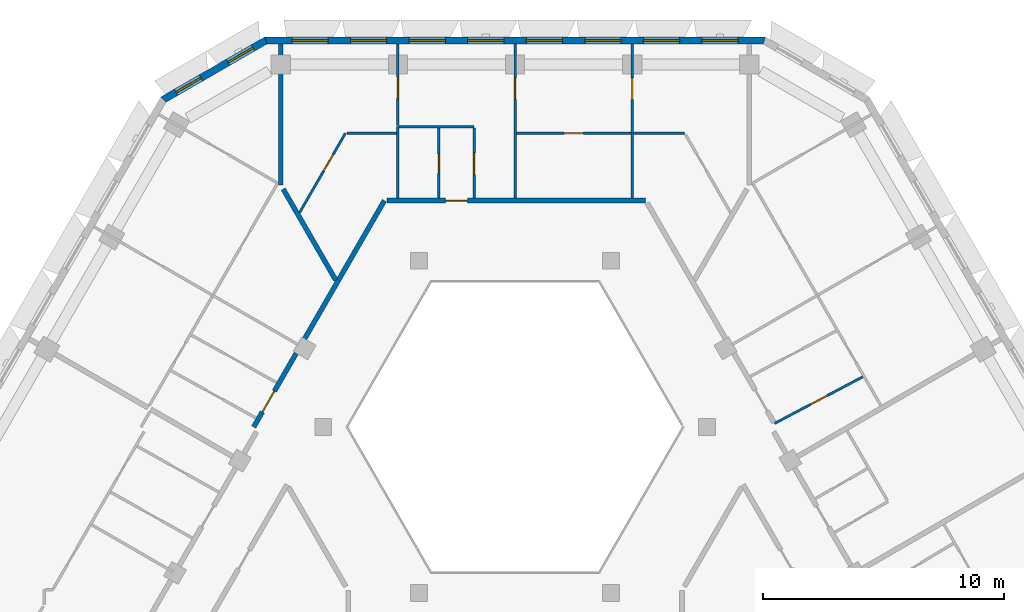
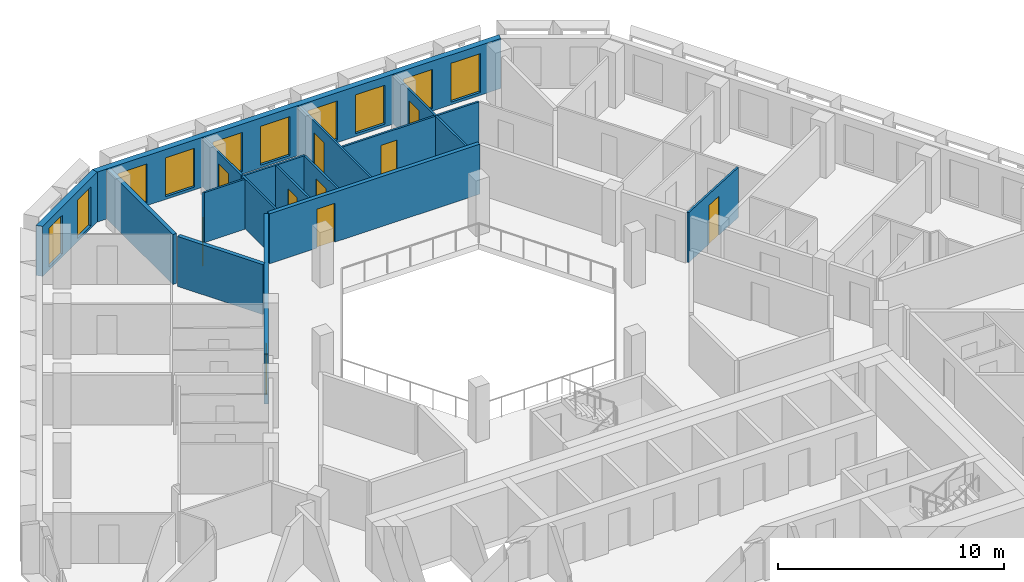
# One storey, part 8 of 18: 18 walls, 10 doors, 10 windows, 20 openings.
"""IFC4 building model written with IfcOpenShell, lengths in metres."""

from ifc_helpers import new_model, si_unit, direction, frame, frame_2d, origin, place, context, subcontext, project, spatial, polyline, rectangle, outline, extrude, material, layer, layer_set, type_object, element, fill, save


model = new_model("IFC4")

# Units and contexts
model_context = context("Model", 3, precision=1e-05, world=origin(), true_north=direction((0.0, 1.0)))
body_context = subcontext(model_context, "Body", "Model", "MODEL_VIEW")
ifc_project = project(units=[si_unit("LENGTHUNIT", "METRE"), si_unit("AREAUNIT", "SQUARE_METRE"), si_unit("VOLUMEUNIT", "CUBIC_METRE"), si_unit("PLANEANGLEUNIT", "RADIAN"), si_unit("MASSUNIT", "GRAM", prefix="KILO")], contexts=[model_context])

# Site, building, storey
site_placement = place(None, origin())
site = spatial("IfcSite", under=ifc_project, at=site_placement, CompositionType="ELEMENT")
building_placement = place(site_placement, origin())
building = spatial("IfcBuilding", under=site, at=building_placement, Name="Beryl Residences", CompositionType="ELEMENT")
storey_placement = place(building_placement, frame((0.0, 0.0, 190.199951171875)))
storey = spatial("IfcBuildingStorey", under=building, at=storey_placement, Name="L58", CompositionType="ELEMENT", Elevation=190.199951171875)

# Wall, openings, windows
ifc_material_1 = material(Name="Composite metal panel with mineral wool insulation")
ifc_layer_1 = layer(ifc_material_1, 0.300048828125)
ifc_layer_set_1 = layer_set([ifc_layer_1], Name="ES1 pale metal composite panel wall 300 mm")
wall_type_1 = type_object("IfcWallType", Name="ES1 pale metal composite panel wall 300 mm", PredefinedType="SOLIDWALL", material=ifc_layer_set_1)
wall_1_placement = place(storey_placement, frame((10.39208984375, 24.050048828125, 0.0), z_axis=(0.0, 0.0, 1.0), x_axis=(-1.0, 0.0, 0.0)))
wall_1 = element("IfcWall", 1, at=wall_1_placement, inside=storey, type_object=wall_type_1, Name="ES1 external wall L58 N", PredefinedType="SOLIDWALL", context=body_context, shape_type="SweptSolid", body=[
    extrude(outline(polyline([(0.0, -0.14990234375), (20.7841796875, -0.14990234375), (20.703857421875, 0.14990234375), (0.080322265625, 0.14990234375), (0.0, -0.14990234375)])), origin(), (0.0, 0.0, 1.0), 2.699951171875),
])
opening_1_placement = place(wall_1_placement, frame((1.1298828125, 0.0, 0.14990234375)))
opening_1 = element("IfcOpeningElement", 2, at=opening_1_placement, cuts=wall_1, Name="Opening W1", PredefinedType="OPENING", context=body_context, shape_type="SweptSolid", body=[
    extrude(rectangle(XDim=1.5, YDim=2.10009765625, at=frame_2d((0.75, 1.050048828125))), frame((0.0, 0.159912109375, 0.0), z_axis=(0.0, -1.0, 0.0), x_axis=(1.0, 0.0, 0.0)), (0.0, 0.0, 1.0), 0.320068359375),
])
opening_2_placement = place(wall_1_placement, frame((3.56201171875, 0.0, 0.14990234375)))
opening_2 = element("IfcOpeningElement", 3, at=opening_2_placement, cuts=wall_1, Name="Opening W1", PredefinedType="OPENING", context=body_context, shape_type="SweptSolid", body=[
    extrude(rectangle(XDim=1.5, YDim=2.10009765625, at=frame_2d((0.75, 1.050048828125))), frame((0.0, 0.159912109375, 0.0), z_axis=(0.0, -1.0, 0.0), x_axis=(1.0, 0.0, 0.0)), (0.0, 0.0, 1.0), 0.320068359375),
])
opening_3_placement = place(wall_1_placement, frame((5.993896484375, 0.0, 0.14990234375)))
opening_3 = element("IfcOpeningElement", 4, at=opening_3_placement, cuts=wall_1, Name="Opening W1", PredefinedType="OPENING", context=body_context, shape_type="SweptSolid", body=[
    extrude(rectangle(XDim=1.5, YDim=2.10009765625, at=frame_2d((0.75, 1.050048828125))), frame((0.0, 0.159912109375, 0.0), z_axis=(0.0, -1.0, 0.0), x_axis=(1.0, 0.0, 0.0)), (0.0, 0.0, 1.0), 0.320068359375),
])
opening_4_placement = place(wall_1_placement, frame((8.426025390625, 0.0, 0.14990234375)))
opening_4 = element("IfcOpeningElement", 5, at=opening_4_placement, cuts=wall_1, Name="Opening W1", PredefinedType="OPENING", context=body_context, shape_type="SweptSolid", body=[
    extrude(rectangle(XDim=1.5, YDim=2.10009765625, at=frame_2d((0.75, 1.050048828125))), frame((0.0, 0.159912109375, 0.0), z_axis=(0.0, -1.0, 0.0), x_axis=(1.0, 0.0, 0.0)), (0.0, 0.0, 1.0), 0.320068359375),
])
opening_5_placement = place(wall_1_placement, frame((10.85791015625, 0.0, 0.14990234375)))
opening_5 = element("IfcOpeningElement", 6, at=opening_5_placement, cuts=wall_1, Name="Opening W1", PredefinedType="OPENING", context=body_context, shape_type="SweptSolid", body=[
    extrude(rectangle(XDim=1.5, YDim=2.10009765625, at=frame_2d((0.75, 1.050048828125))), frame((0.0, 0.159912109375, 0.0), z_axis=(0.0, -1.0, 0.0), x_axis=(1.0, 0.0, 0.0)), (0.0, 0.0, 1.0), 0.320068359375),
])
opening_6_placement = place(wall_1_placement, frame((13.2900390625, 0.0, 0.14990234375)))
opening_6 = element("IfcOpeningElement", 7, at=opening_6_placement, cuts=wall_1, Name="Opening W1", PredefinedType="OPENING", context=body_context, shape_type="SweptSolid", body=[
    extrude(rectangle(XDim=1.5, YDim=2.10009765625, at=frame_2d((0.75, 1.050048828125))), frame((0.0, 0.159912109375, 0.0), z_axis=(0.0, -1.0, 0.0), x_axis=(1.0, 0.0, 0.0)), (0.0, 0.0, 1.0), 0.320068359375),
])
opening_7_placement = place(wall_1_placement, frame((15.721923828125, 0.0, 0.14990234375)))
opening_7 = element("IfcOpeningElement", 8, at=opening_7_placement, cuts=wall_1, Name="Opening W1", PredefinedType="OPENING", context=body_context, shape_type="SweptSolid", body=[
    extrude(rectangle(XDim=1.5, YDim=2.10009765625, at=frame_2d((0.75, 1.050048828125))), frame((0.0, 0.159912109375, 0.0), z_axis=(0.0, -1.0, 0.0), x_axis=(1.0, 0.0, 0.0)), (0.0, 0.0, 1.0), 0.320068359375),
])
opening_8_placement = place(wall_1_placement, frame((18.154052734375, 0.0, 0.14990234375)))
opening_8 = element("IfcOpeningElement", 9, at=opening_8_placement, cuts=wall_1, Name="Opening W1", PredefinedType="OPENING", context=body_context, shape_type="SweptSolid", body=[
    extrude(rectangle(XDim=1.5, YDim=2.10009765625, at=frame_2d((0.75, 1.050048828125))), frame((0.0, 0.159912109375, 0.0), z_axis=(0.0, -1.0, 0.0), x_axis=(1.0, 0.0, 0.0)), (0.0, 0.0, 1.0), 0.320068359375),
])
ifc_material_2 = material(Name="Aluminium and clear glass", Category="aluminium")
window_type_1 = type_object("IfcWindowType", Name="W1 cell window 1500 x 2100 mm", PartitioningType="SINGLE_PANEL", PredefinedType="WINDOW", material=ifc_material_2)
window_1_placement = place(opening_1_placement, origin())
window_1 = element("IfcWindow", 10, at=window_1_placement, inside=storey, type_object=window_type_1, Name="W1 window L58 N 1", OverallHeight=2.10009765625, OverallWidth=1.5, PartitioningType="SINGLE_PANEL", PredefinedType="WINDOW", context=body_context, shape_type="SweptSolid", body=[
    extrude(rectangle(XDim=1.5, YDim=2.10009765625, at=frame_2d((0.75, 1.050048828125))), frame((0.0, 0.030029296875, 0.0), z_axis=(0.0, -1.0, 0.0), x_axis=(1.0, 0.0, 0.0)), (0.0, 0.0, 1.0), 0.06005859375),
])
fill(opening_1, window_1)
window_2_placement = place(opening_2_placement, origin())
window_2 = element("IfcWindow", 11, at=window_2_placement, inside=storey, type_object=window_type_1, Name="W1 window L58 N 2", OverallHeight=2.10009765625, OverallWidth=1.5, PartitioningType="SINGLE_PANEL", PredefinedType="WINDOW", context=body_context, shape_type="SweptSolid", body=[
    extrude(rectangle(XDim=1.5, YDim=2.10009765625, at=frame_2d((0.75, 1.050048828125))), frame((0.0, 0.030029296875, 0.0), z_axis=(0.0, -1.0, 0.0), x_axis=(1.0, 0.0, 0.0)), (0.0, 0.0, 1.0), 0.06005859375),
])
fill(opening_2, window_2)
window_3_placement = place(opening_3_placement, origin())
window_3 = element("IfcWindow", 12, at=window_3_placement, inside=storey, type_object=window_type_1, Name="W1 window L58 N 3", OverallHeight=2.10009765625, OverallWidth=1.5, PartitioningType="SINGLE_PANEL", PredefinedType="WINDOW", context=body_context, shape_type="SweptSolid", body=[
    extrude(rectangle(XDim=1.5, YDim=2.10009765625, at=frame_2d((0.75, 1.050048828125))), frame((0.0, 0.030029296875, 0.0), z_axis=(0.0, -1.0, 0.0), x_axis=(1.0, 0.0, 0.0)), (0.0, 0.0, 1.0), 0.06005859375),
])
fill(opening_3, window_3)
window_4_placement = place(opening_4_placement, origin())
window_4 = element("IfcWindow", 13, at=window_4_placement, inside=storey, type_object=window_type_1, Name="W1 window L58 N 4", OverallHeight=2.10009765625, OverallWidth=1.5, PartitioningType="SINGLE_PANEL", PredefinedType="WINDOW", context=body_context, shape_type="SweptSolid", body=[
    extrude(rectangle(XDim=1.5, YDim=2.10009765625, at=frame_2d((0.75, 1.050048828125))), frame((0.0, 0.030029296875, 0.0), z_axis=(0.0, -1.0, 0.0), x_axis=(1.0, 0.0, 0.0)), (0.0, 0.0, 1.0), 0.06005859375),
])
fill(opening_4, window_4)
window_5_placement = place(opening_5_placement, origin())
window_5 = element("IfcWindow", 14, at=window_5_placement, inside=storey, type_object=window_type_1, Name="W1 window L58 N 5", OverallHeight=2.10009765625, OverallWidth=1.5, PartitioningType="SINGLE_PANEL", PredefinedType="WINDOW", context=body_context, shape_type="SweptSolid", body=[
    extrude(rectangle(XDim=1.5, YDim=2.10009765625, at=frame_2d((0.75, 1.050048828125))), frame((0.0, 0.030029296875, 0.0), z_axis=(0.0, -1.0, 0.0), x_axis=(1.0, 0.0, 0.0)), (0.0, 0.0, 1.0), 0.06005859375),
])
fill(opening_5, window_5)
window_6_placement = place(opening_6_placement, origin())
window_6 = element("IfcWindow", 15, at=window_6_placement, inside=storey, type_object=window_type_1, Name="W1 window L58 N 6", OverallHeight=2.10009765625, OverallWidth=1.5, PartitioningType="SINGLE_PANEL", PredefinedType="WINDOW", context=body_context, shape_type="SweptSolid", body=[
    extrude(rectangle(XDim=1.5, YDim=2.10009765625, at=frame_2d((0.75, 1.050048828125))), frame((0.0, 0.030029296875, 0.0), z_axis=(0.0, -1.0, 0.0), x_axis=(1.0, 0.0, 0.0)), (0.0, 0.0, 1.0), 0.06005859375),
])
fill(opening_6, window_6)
window_7_placement = place(opening_7_placement, origin())
window_7 = element("IfcWindow", 16, at=window_7_placement, inside=storey, type_object=window_type_1, Name="W1 window L58 N 7", OverallHeight=2.10009765625, OverallWidth=1.5, PartitioningType="SINGLE_PANEL", PredefinedType="WINDOW", context=body_context, shape_type="SweptSolid", body=[
    extrude(rectangle(XDim=1.5, YDim=2.10009765625, at=frame_2d((0.75, 1.050048828125))), frame((0.0, 0.030029296875, 0.0), z_axis=(0.0, -1.0, 0.0), x_axis=(1.0, 0.0, 0.0)), (0.0, 0.0, 1.0), 0.06005859375),
])
fill(opening_7, window_7)
window_8_placement = place(opening_8_placement, origin())
window_8 = element("IfcWindow", 17, at=window_8_placement, inside=storey, type_object=window_type_1, Name="W1 window L58 N 8", OverallHeight=2.10009765625, OverallWidth=1.5, PartitioningType="SINGLE_PANEL", PredefinedType="WINDOW", context=body_context, shape_type="SweptSolid", body=[
    extrude(rectangle(XDim=1.5, YDim=2.10009765625, at=frame_2d((0.75, 1.050048828125))), frame((0.0, 0.030029296875, 0.0), z_axis=(0.0, -1.0, 0.0), x_axis=(1.0, 0.0, 0.0)), (0.0, 0.0, 1.0), 0.06005859375),
])
fill(opening_8, window_8)

wall_2_placement = place(storey_placement, frame((-10.31689453125, 24.070068359375, 0.0), z_axis=(0.0, 0.0, 1.0), x_axis=(-0.866022959057, -0.500004234368, 0.0)))
wall_2 = element("IfcWall", 18, at=wall_2_placement, inside=storey, type_object=wall_type_1, Name="ES1 external wall L58 N-NW", PredefinedType="SOLIDWALL", context=body_context, shape_type="SweptSolid", body=[
    extrude(outline(polyline([(0.0, -0.14990234375), (5.0, -0.14990234375), (4.919677734375, 0.14990234375), (0.080322265625, 0.14990234375), (0.0, -0.14990234375)])), origin(), (0.0, 0.0, 1.0), 2.699951171875),
])
opening_9_placement = place(wall_2_placement, frame((0.64990234375, 0.0, 0.14990234375)))
opening_9 = element("IfcOpeningElement", 19, at=opening_9_placement, cuts=wall_2, Name="Opening W2", PredefinedType="OPENING", context=body_context, shape_type="SweptSolid", body=[
    extrude(rectangle(XDim=1.199951171875, YDim=2.10009765625, at=frame_2d((0.60009765625, 1.050048828125))), frame((0.0, 0.159912109375, 0.0), z_axis=(0.0, -1.0, 0.0), x_axis=(1.0, 0.0, 0.0)), (0.0, 0.0, 1.0), 0.320068359375),
])
opening_10_placement = place(wall_2_placement, frame((3.14892578125, 0.0, 0.14990234375)))
opening_10 = element("IfcOpeningElement", 20, at=opening_10_placement, cuts=wall_2, Name="Opening W2", PredefinedType="OPENING", context=body_context, shape_type="SweptSolid", body=[
    extrude(rectangle(XDim=1.199951171875, YDim=2.10009765625, at=frame_2d((0.60009765625, 1.050048828125))), frame((0.0, 0.159912109375, 0.0), z_axis=(0.0, -1.0, 0.0), x_axis=(1.0, 0.0, 0.0)), (0.0, 0.0, 1.0), 0.320068359375),
])
ifc_material_3 = material(Name="Aluminium and clear glass", Category="aluminium")
window_type_2 = type_object("IfcWindowType", Name="W2 chamfer window 1200 x 2100 mm", PartitioningType="SINGLE_PANEL", PredefinedType="WINDOW", material=ifc_material_3)
window_9_placement = place(opening_9_placement, origin())
window_9 = element("IfcWindow", 21, at=window_9_placement, inside=storey, type_object=window_type_2, Name="W2 window L58 N-NW 1", OverallHeight=2.10009765625, OverallWidth=1.199951171875, PartitioningType="SINGLE_PANEL", PredefinedType="WINDOW", context=body_context, shape_type="SweptSolid", body=[
    extrude(rectangle(XDim=1.199951171875, YDim=2.10009765625, at=frame_2d((0.60009765625, 1.050048828125))), frame((0.0, 0.030029296875, 0.0), z_axis=(0.0, -1.0, 0.0), x_axis=(1.0, 0.0, 0.0)), (0.0, 0.0, 1.0), 0.06005859375),
])
fill(opening_9, window_9)
window_10_placement = place(opening_10_placement, origin())
window_10 = element("IfcWindow", 22, at=window_10_placement, inside=storey, type_object=window_type_2, Name="W2 window L58 N-NW 2", OverallHeight=2.10009765625, OverallWidth=1.199951171875, PartitioningType="SINGLE_PANEL", PredefinedType="WINDOW", context=body_context, shape_type="SweptSolid", body=[
    extrude(rectangle(XDim=1.199951171875, YDim=2.10009765625, at=frame_2d((0.60009765625, 1.050048828125))), frame((0.0, 0.030029296875, 0.0), z_axis=(0.0, -1.0, 0.0), x_axis=(1.0, 0.0, 0.0)), (0.0, 0.0, 1.0), 0.06005859375),
])
fill(opening_10, window_10)

# Wall, opening, door
ifc_material_4 = material(Name="Gypsum board partition on steel studs", Category="steel")
ifc_layer_2 = layer(ifc_material_4, 0.10009765625)
ifc_layer_set_2 = layer_set([ifc_layer_2], Name="PT1 partition 100 mm gypsum board on steel studs")
wall_type_2 = type_object("IfcWallType", Name="PT1 partition 100 mm gypsum board on steel studs", PredefinedType="PARTITIONING", material=ifc_layer_set_2)
wall_3_placement = place(storey_placement, frame((-4.864013671875, 23.89990234375, 0.0), z_axis=(0.0, 0.0, 1.0), x_axis=(0.0, -1.0, 0.0)))
wall_3 = element("IfcWall", 23, at=wall_3_placement, inside=storey, type_object=wall_type_2, Name="Wall PT1 L58 007", PredefinedType="PARTITIONING", context=body_context, shape_type="SweptSolid", body=[
    extrude(rectangle(XDim=3.389892578125, YDim=0.10009765625, at=frame_2d((1.69482421875, 0.0))), origin(), (0.0, 0.0, 1.0), 2.699951171875),
])
opening_11_placement = place(wall_3_placement, frame((1.3701171875, 0.0, 0.0)))
opening_11 = element("IfcOpeningElement", 24, at=opening_11_placement, cuts=wall_3, Name="Opening D1512", PredefinedType="OPENING", context=body_context, shape_type="SweptSolid", body=[
    extrude(rectangle(XDim=0.89990234375, YDim=2.10009765625, at=frame_2d((0.449951171875, 1.050048828125))), frame((0.0, 0.06005859375, 0.0), z_axis=(0.0, -1.0, 0.0), x_axis=(1.0, 0.0, 0.0)), (0.0, 0.0, 1.0), 0.1201171875),
])
ifc_material_5 = material(Name="Timber door leaf", Category="wood")
door_type_1 = type_object("IfcDoorType", Name="D2 room door 900 x 2100 mm", OperationType="SINGLE_SWING_LEFT", PredefinedType="DOOR", material=ifc_material_5)
door_1_placement = place(opening_11_placement, origin())
door_1 = element("IfcDoor", 25, at=door_1_placement, inside=storey, type_object=door_type_1, Name="Door D1512 L58 001", OperationType="SINGLE_SWING_RIGHT", OverallHeight=2.10009765625, OverallWidth=0.89990234375, PredefinedType="DOOR", context=body_context, shape_type="SweptSolid", body=[
    extrude(rectangle(XDim=0.89990234375, YDim=2.10009765625, at=frame_2d((0.449951171875, 1.050048828125))), frame((0.0, 0.02490234375, 0.0), z_axis=(0.0, -1.0, 0.0), x_axis=(1.0, 0.0, 0.0)), (0.0, 0.0, 1.0), 0.050048828125),
])
fill(opening_11, door_1)

wall_4_placement = place(storey_placement, frame((-1.701904296875, 20.408935546875, 0.0), z_axis=(0.0, 0.0, 1.0), x_axis=(0.0, -1.0, 0.0)))
wall_4 = element("IfcWall", 26, at=wall_4_placement, inside=storey, type_object=wall_type_2, Name="Wall PT1 L58 008", PredefinedType="PARTITIONING", context=body_context, shape_type="SweptSolid", body=[
    extrude(rectangle(XDim=2.908935546875, YDim=0.10009765625, at=frame_2d((1.45458984375, 0.0))), origin(), (0.0, 0.0, 1.0), 2.699951171875),
])
opening_12_placement = place(wall_4_placement, frame((1.029052734375, 0.0, 0.0)))
opening_12 = element("IfcOpeningElement", 27, at=opening_12_placement, cuts=wall_4, Name="Opening D1509", PredefinedType="OPENING", context=body_context, shape_type="SweptSolid", body=[
    extrude(rectangle(XDim=0.89990234375, YDim=2.10009765625, at=frame_2d((0.449951171875, 1.050048828125))), frame((0.0, 0.06005859375, 0.0), z_axis=(0.0, -1.0, 0.0), x_axis=(1.0, 0.0, 0.0)), (0.0, 0.0, 1.0), 0.1201171875),
])
door_2_placement = place(opening_12_placement, origin())
door_2 = element("IfcDoor", 28, at=door_2_placement, inside=storey, type_object=door_type_1, Name="Door D1509 L58 001", OperationType="SINGLE_SWING_LEFT", OverallHeight=2.10009765625, OverallWidth=0.89990234375, PredefinedType="DOOR", context=body_context, shape_type="SweptSolid", body=[
    extrude(rectangle(XDim=0.89990234375, YDim=2.10009765625, at=frame_2d((0.449951171875, 1.050048828125))), frame((0.0, 0.02490234375, 0.0), z_axis=(0.0, -1.0, 0.0), x_axis=(1.0, 0.0, 0.0)), (0.0, 0.0, 1.0), 0.050048828125),
])
fill(opening_12, door_2)

# Wall
wall_5_placement = place(storey_placement, frame((-6.985107421875, 20.199951171875, 0.0), z_axis=(0.0, 0.0, 1.0), x_axis=(1.0, 0.0, 0.0)))
element("IfcWall", 29, at=wall_5_placement, inside=storey, type_object=wall_type_2, Name="Wall PT1 L58 023", PredefinedType="PARTITIONING", context=body_context, shape_type="SweptSolid", body=[
    extrude(rectangle(XDim=2.071044921875, YDim=0.10009765625, at=frame_2d((1.03564453125, 0.0))), origin(), (0.0, 0.0, 1.0), 2.699951171875),
])

# Wall, opening, door
wall_6_placement = place(storey_placement, frame((0.050048828125, 20.199951171875, 0.0), z_axis=(0.0, 0.0, 1.0), x_axis=(1.0, 0.0, 0.0)))
wall_6 = element("IfcWall", 30, at=wall_6_placement, inside=storey, type_object=wall_type_2, Name="Wall PT1 L58 024", PredefinedType="PARTITIONING", context=body_context, shape_type="SweptSolid", body=[
    extrude(rectangle(XDim=6.992919921875, YDim=0.10009765625, at=frame_2d((3.49658203125, 0.0))), origin(), (0.0, 0.0, 1.0), 2.699951171875),
])
opening_13_placement = place(wall_6_placement, frame((1.98193359375, 0.0, 0.0)))
opening_13 = element("IfcOpeningElement", 31, at=opening_13_placement, cuts=wall_6, Name="Opening D1515", PredefinedType="OPENING", context=body_context, shape_type="SweptSolid", body=[
    extrude(rectangle(XDim=0.800048828125, YDim=2.10009765625, at=frame_2d((0.39990234375, 1.050048828125))), frame((0.0, 0.06005859375, 0.0), z_axis=(0.0, -1.0, 0.0), x_axis=(1.0, 0.0, 0.0)), (0.0, 0.0, 1.0), 0.1201171875),
])
ifc_material_6 = material(Name="Timber door leaf", Category="wood")
door_type_2 = type_object("IfcDoorType", Name="D3 bathroom door 800 x 2100 mm", OperationType="SINGLE_SWING_LEFT", PredefinedType="DOOR", material=ifc_material_6)
door_3_placement = place(opening_13_placement, origin())
door_3 = element("IfcDoor", 32, at=door_3_placement, inside=storey, type_object=door_type_2, Name="Door D1515 L58 001", OperationType="SINGLE_SWING_LEFT", OverallHeight=2.10009765625, OverallWidth=0.800048828125, PredefinedType="DOOR", context=body_context, shape_type="SweptSolid", body=[
    extrude(rectangle(XDim=0.800048828125, YDim=2.10009765625, at=frame_2d((0.39990234375, 1.050048828125))), frame((0.0, 0.02490234375, 0.0), z_axis=(0.0, -1.0, 0.0), x_axis=(1.0, 0.0, 0.0)), (0.0, 0.0, 1.0), 0.050048828125),
])
fill(opening_13, door_3)

# Wall
wall_7_placement = place(storey_placement, frame((-4.81396484375, 20.4599609375, 0.0), z_axis=(0.0, 0.0, 1.0), x_axis=(1.0, 0.0, 0.0)))
element("IfcWall", 33, at=wall_7_placement, inside=storey, type_object=wall_type_2, Name="Wall PT1 L58 025", PredefinedType="PARTITIONING", context=body_context, shape_type="SweptSolid", body=[
    extrude(rectangle(XDim=3.111083984375, YDim=0.10009765625, at=frame_2d((1.5556640625, 0.0))), origin(), (0.0, 0.0, 1.0), 2.699951171875),
])

# Wall, opening, door
wall_8_placement = place(storey_placement, frame((-8.948974609375, 16.89990234375, 0.0), z_axis=(0.0, 0.0, 1.0), x_axis=(0.499949850951, 0.866054355415, 0.0)))
wall_8 = element("IfcWall", 34, at=wall_8_placement, inside=storey, type_object=wall_type_2, Name="Wall PT1 L58 026", PredefinedType="PARTITIONING", context=body_context, shape_type="SweptSolid", body=[
    extrude(rectangle(XDim=3.810546875, YDim=0.10009765625, at=frame_2d((1.9052734375, 0.0))), origin(), (0.0, 0.0, 1.0), 2.699951171875),
])
opening_14_placement = place(wall_8_placement, frame((1.991943359375, 0.0, 0.0)))
opening_14 = element("IfcOpeningElement", 35, at=opening_14_placement, cuts=wall_8, Name="Opening D1516", PredefinedType="OPENING", context=body_context, shape_type="SweptSolid", body=[
    extrude(rectangle(XDim=0.800048828125, YDim=2.10009765625, at=frame_2d((0.39990234375, 1.050048828125))), frame((0.0, 0.06005859375, 0.0), z_axis=(0.0, -1.0, 0.0), x_axis=(1.0, 0.0, 0.0)), (0.0, 0.0, 1.0), 0.1201171875),
])
door_4_placement = place(opening_14_placement, origin())
door_4 = element("IfcDoor", 36, at=door_4_placement, inside=storey, type_object=door_type_2, Name="Door D1516 L58 001", OperationType="SINGLE_SWING_RIGHT", OverallHeight=2.10009765625, OverallWidth=0.800048828125, PredefinedType="DOOR", context=body_context, shape_type="SweptSolid", body=[
    extrude(rectangle(XDim=0.800048828125, YDim=2.10009765625, at=frame_2d((0.39990234375, 1.050048828125))), frame((0.0, 0.02490234375, 0.0), z_axis=(0.0, -1.0, 0.0), x_axis=(1.0, 0.0, 0.0)), (0.0, 0.0, 1.0), 0.050048828125),
])
fill(opening_14, door_4)

# Wall
wall_9_placement = place(storey_placement, frame((4.864013671875, 17.5, 0.0), z_axis=(0.0, 0.0, 1.0), x_axis=(0.0, 1.0, 0.0)))
element("IfcWall", 37, at=wall_9_placement, inside=storey, type_object=wall_type_2, Name="Wall PT1 L58 031", PredefinedType="PARTITIONING", context=body_context, shape_type="SweptSolid", body=[
    extrude(rectangle(XDim=2.699951171875, YDim=0.10009765625, at=frame_2d((1.35009765625, 0.0))), origin(), (0.0, 0.0, 1.0), 2.699951171875),
])

# Wall, opening, door
wall_10_placement = place(storey_placement, frame((0.0, 17.5, 0.0), z_axis=(0.0, 0.0, 1.0), x_axis=(0.0, 1.0, 0.0)))
wall_10 = element("IfcWall", 38, at=wall_10_placement, inside=storey, type_object=wall_type_2, Name="Wall PT1 L58 034", PredefinedType="PARTITIONING", context=body_context, shape_type="SweptSolid", body=[
    extrude(rectangle(XDim=6.39990234375, YDim=0.10009765625, at=frame_2d((3.199951171875, 0.0))), origin(), (0.0, 0.0, 1.0), 2.699951171875),
])
opening_15_placement = place(wall_10_placement, frame((4.10009765625, 0.0, 0.0)))
opening_15 = element("IfcOpeningElement", 39, at=opening_15_placement, cuts=wall_10, Name="Opening D1511", PredefinedType="OPENING", context=body_context, shape_type="SweptSolid", body=[
    extrude(rectangle(XDim=0.89990234375, YDim=2.10009765625, at=frame_2d((0.449951171875, 1.050048828125))), frame((0.0, 0.06005859375, 0.0), z_axis=(0.0, -1.0, 0.0), x_axis=(1.0, 0.0, 0.0)), (0.0, 0.0, 1.0), 0.1201171875),
])
door_5_placement = place(opening_15_placement, origin())
door_5 = element("IfcDoor", 40, at=door_5_placement, inside=storey, type_object=door_type_1, Name="Door D1511 L58 001", OperationType="SINGLE_SWING_LEFT", OverallHeight=2.10009765625, OverallWidth=0.89990234375, PredefinedType="DOOR", context=body_context, shape_type="SweptSolid", body=[
    extrude(rectangle(XDim=0.89990234375, YDim=2.10009765625, at=frame_2d((0.449951171875, 1.050048828125))), frame((0.0, 0.02490234375, 0.0), z_axis=(0.0, -1.0, 0.0), x_axis=(1.0, 0.0, 0.0)), (0.0, 0.0, 1.0), 0.050048828125),
])
fill(opening_15, door_5)

wall_11_placement = place(storey_placement, frame((-3.162109375, 17.5, 0.0), z_axis=(0.0, 0.0, 1.0), x_axis=(0.0, 1.0, 0.0)))
wall_11 = element("IfcWall", 41, at=wall_11_placement, inside=storey, type_object=wall_type_2, Name="Wall PT1 L58 035", PredefinedType="PARTITIONING", context=body_context, shape_type="SweptSolid", body=[
    extrude(rectangle(XDim=2.909912109375, YDim=0.10009765625, at=frame_2d((1.455078125, 0.0))), origin(), (0.0, 0.0, 1.0), 2.699951171875),
])
opening_16_placement = place(wall_11_placement, frame((1.030029296875, 0.0, 0.0)))
opening_16 = element("IfcOpeningElement", 42, at=opening_16_placement, cuts=wall_11, Name="Opening D1510", PredefinedType="OPENING", context=body_context, shape_type="SweptSolid", body=[
    extrude(rectangle(XDim=0.800048828125, YDim=2.10009765625, at=frame_2d((0.39990234375, 1.050048828125))), frame((0.0, 0.06005859375, 0.0), z_axis=(0.0, -1.0, 0.0), x_axis=(1.0, 0.0, 0.0)), (0.0, 0.0, 1.0), 0.1201171875),
])
door_6_placement = place(opening_16_placement, origin())
door_6 = element("IfcDoor", 43, at=door_6_placement, inside=storey, type_object=door_type_2, Name="Door D1510 L58 001", OperationType="SINGLE_SWING_RIGHT", OverallHeight=2.10009765625, OverallWidth=0.800048828125, PredefinedType="DOOR", context=body_context, shape_type="SweptSolid", body=[
    extrude(rectangle(XDim=0.800048828125, YDim=2.10009765625, at=frame_2d((0.39990234375, 1.050048828125))), frame((0.0, 0.02490234375, 0.0), z_axis=(0.0, -1.0, 0.0), x_axis=(1.0, 0.0, 0.0)), (0.0, 0.0, 1.0), 0.050048828125),
])
fill(opening_16, door_6)

# Wall
wall_12_placement = place(storey_placement, frame((-4.864013671875, 17.5, 0.0), z_axis=(0.0, 0.0, 1.0), x_axis=(0.0, 1.0, 0.0)))
element("IfcWall", 44, at=wall_12_placement, inside=storey, type_object=wall_type_2, Name="Wall PT1 L58 036", PredefinedType="PARTITIONING", context=body_context, shape_type="SweptSolid", body=[
    extrude(rectangle(XDim=2.97998046875, YDim=0.10009765625, at=frame_2d((1.489990234375, 0.0))), origin(), (0.0, 0.0, 1.0), 2.699951171875),
])

# Wall, opening, door
wall_13_placement = place(storey_placement, frame((10.77197265625, 8.14306640625, 0.0), z_axis=(0.0, 0.0, 1.0), x_axis=(0.884049480227, 0.467393320995, 0.0)))
wall_13 = element("IfcWall", 45, at=wall_13_placement, inside=storey, type_object=wall_type_2, Name="Wall PT1 L58 041", PredefinedType="PARTITIONING", context=body_context, shape_type="SweptSolid", body=[
    extrude(rectangle(XDim=4.152587890625, YDim=0.10009765625, at=frame_2d((2.076171875, 0.0))), origin(), (0.0, 0.0, 1.0), 2.699951171875),
])
opening_17_placement = place(wall_13_placement, frame((1.700927734375, 0.0, 0.0)))
opening_17 = element("IfcOpeningElement", 46, at=opening_17_placement, cuts=wall_13, Name="Opening D1502", PredefinedType="OPENING", context=body_context, shape_type="SweptSolid", body=[
    extrude(rectangle(XDim=0.800048828125, YDim=2.10009765625, at=frame_2d((0.39990234375, 1.050048828125))), frame((0.0, 0.06005859375, 0.0), z_axis=(0.0, -1.0, 0.0), x_axis=(1.0, 0.0, 0.0)), (0.0, 0.0, 1.0), 0.1201171875),
])
door_7_placement = place(opening_17_placement, origin())
door_7 = element("IfcDoor", 47, at=door_7_placement, inside=storey, type_object=door_type_2, Name="Door D1502 L58 001", OperationType="SINGLE_SWING_RIGHT", OverallHeight=2.10009765625, OverallWidth=0.800048828125, PredefinedType="DOOR", context=body_context, shape_type="SweptSolid", body=[
    extrude(rectangle(XDim=0.800048828125, YDim=2.10009765625, at=frame_2d((0.39990234375, 1.050048828125))), frame((0.0, 0.02490234375, 0.0), z_axis=(0.0, -1.0, 0.0), x_axis=(1.0, 0.0, 0.0)), (0.0, 0.0, 1.0), 0.050048828125),
])
fill(opening_17, door_7)

wall_14_placement = place(storey_placement, frame((4.864013671875, 20.199951171875, 0.0), z_axis=(0.0, 0.0, 1.0), x_axis=(0.0, 1.0, 0.0)))
wall_14 = element("IfcWall", 48, at=wall_14_placement, inside=storey, type_object=wall_type_2, Name="Wall PT1 L58 051", PredefinedType="PARTITIONING", context=body_context, shape_type="SweptSolid", body=[
    extrude(rectangle(XDim=3.699951171875, YDim=0.10009765625, at=frame_2d((1.85009765625, 0.0))), origin(), (0.0, 0.0, 1.0), 2.699951171875),
])
opening_18_placement = place(wall_14_placement, frame((1.39990234375, 0.0, 0.0)))
opening_18 = element("IfcOpeningElement", 49, at=opening_18_placement, cuts=wall_14, Name="Opening D1513", PredefinedType="OPENING", context=body_context, shape_type="SweptSolid", body=[
    extrude(rectangle(XDim=0.89990234375, YDim=2.10009765625, at=frame_2d((0.449951171875, 1.050048828125))), frame((0.0, 0.06005859375, 0.0), z_axis=(0.0, -1.0, 0.0), x_axis=(1.0, 0.0, 0.0)), (0.0, 0.0, 1.0), 0.1201171875),
])
door_8_placement = place(opening_18_placement, origin())
door_8 = element("IfcDoor", 50, at=door_8_placement, inside=storey, type_object=door_type_1, Name="Door D1513 L58 001", OperationType="SINGLE_SWING_LEFT", OverallHeight=2.10009765625, OverallWidth=0.89990234375, PredefinedType="DOOR", context=body_context, shape_type="SweptSolid", body=[
    extrude(rectangle(XDim=0.89990234375, YDim=2.10009765625, at=frame_2d((0.449951171875, 1.050048828125))), frame((0.0, 0.02490234375, 0.0), z_axis=(0.0, -1.0, 0.0), x_axis=(1.0, 0.0, 0.0)), (0.0, 0.0, 1.0), 0.050048828125),
])
fill(opening_18, door_8)

# Walls
ifc_material_7 = material(Name="Acoustic double stud gypsum board wall")
ifc_layer_3 = layer(ifc_material_7, 0.199951171875)
ifc_layer_set_3 = layer_set([ifc_layer_3], Name="PT3 party wall 200 mm acoustic double stud")
wall_type_3 = type_object("IfcWallType", Name="PT3 party wall 200 mm acoustic double stud", PredefinedType="PARTITIONING", material=ifc_layer_set_3)
wall_15_placement = place(storey_placement, frame((-9.6279296875, 17.876953125, 0.0), z_axis=(0.0, 0.0, 1.0), x_axis=(0.499890461358, -0.866088636713, 0.0)))
element("IfcWall", 51, at=wall_15_placement, inside=storey, type_object=wall_type_3, Name="Wall PT3 L58 001", PredefinedType="PARTITIONING", context=body_context, shape_type="SweptSolid", body=[
    extrude(rectangle(XDim=4.36083984375, YDim=0.199951171875, at=frame_2d((2.180419921875, 0.0))), origin(), (0.0, 0.0, 1.0), 2.699951171875),
])
wall_16_placement = place(storey_placement, frame((-9.72802734375, 18.050048828125, 0.0), z_axis=(0.0, 0.0, 1.0), x_axis=(0.0, 1.0, 0.0)))
element("IfcWall", 52, at=wall_16_placement, inside=storey, type_object=wall_type_3, Name="Wall PT3 L58 010", PredefinedType="PARTITIONING", context=body_context, shape_type="SweptSolid", body=[
    extrude(rectangle(XDim=5.849853515625, YDim=0.199951171875, at=frame_2d((2.9248046875, 0.0))), origin(), (0.0, 0.0, 1.0), 2.699951171875),
])

# Wall, opening, door
ifc_material_8 = material(Name="Double stud gypsum board wall")
ifc_layer_4 = layer(ifc_material_8, 0.199951171875)
ifc_layer_set_4 = layer_set([ifc_layer_4], Name="PT4 corridor wall 200 mm double stud")
wall_type_4 = type_object("IfcWallType", Name="PT4 corridor wall 200 mm double stud", PredefinedType="PARTITIONING", material=ifc_layer_set_4)
wall_17_placement = place(storey_placement, frame((-5.31103515625, 17.39990234375, 0.0), z_axis=(0.0, 0.0, 1.0), x_axis=(1.0, 0.0, 0.0)))
wall_17 = element("IfcWall", 53, at=wall_17_placement, inside=storey, type_object=wall_type_4, Name="Wall PT4 L58 014", PredefinedType="PARTITIONING", context=body_context, shape_type="SweptSolid", body=[
    extrude(rectangle(XDim=10.737060546875, YDim=0.199951171875, at=frame_2d((5.36865234375, 0.0))), origin(), (0.0, 0.0, 1.0), 2.699951171875),
])
opening_19_placement = place(wall_17_placement, frame((2.428955078125, 0.0, 0.0)))
opening_19 = element("IfcOpeningElement", 54, at=opening_19_placement, cuts=wall_17, Name="Opening D1508", PredefinedType="OPENING", context=body_context, shape_type="SweptSolid", body=[
    extrude(rectangle(XDim=0.89990234375, YDim=2.10009765625, at=frame_2d((0.449951171875, 1.050048828125))), frame((0.0, 0.10986328125, 0.0), z_axis=(0.0, -1.0, 0.0), x_axis=(1.0, 0.0, 0.0)), (0.0, 0.0, 1.0), 0.219970703125),
])
ifc_material_9 = material(Name="Timber door leaf", Category="wood")
door_type_3 = type_object("IfcDoorType", Name="D11 flat entrance door 900 x 2100 mm", OperationType="SINGLE_SWING_LEFT", PredefinedType="DOOR", material=ifc_material_9)
door_9_placement = place(opening_19_placement, origin())
door_9 = element("IfcDoor", 55, at=door_9_placement, inside=storey, type_object=door_type_3, Name="Door D1508 L58 001", OperationType="SINGLE_SWING_RIGHT", OverallHeight=2.10009765625, OverallWidth=0.89990234375, PredefinedType="DOOR", context=body_context, shape_type="SweptSolid", body=[
    extrude(rectangle(XDim=0.89990234375, YDim=2.10009765625, at=frame_2d((0.449951171875, 1.050048828125))), frame((0.0, 0.02490234375, 0.0), z_axis=(0.0, -1.0, 0.0), x_axis=(1.0, 0.0, 0.0)), (0.0, 0.0, 1.0), 0.050048828125),
])
fill(opening_19, door_9)

wall_18_placement = place(storey_placement, frame((-10.85400390625, 8.0, 0.0), z_axis=(0.0, 0.0, 1.0), x_axis=(0.499997637144, 0.866026767976, 0.0)))
wall_18 = element("IfcWall", 56, at=wall_18_placement, inside=storey, type_object=wall_type_4, Name="Wall PT4 L58 020", PredefinedType="PARTITIONING", context=body_context, shape_type="SweptSolid", body=[
    extrude(rectangle(XDim=10.85400390625, YDim=0.199951171875, at=frame_2d((5.427001953125, 0.0))), origin(), (0.0, 0.0, 1.0), 2.699951171875),
])
opening_20_placement = place(wall_18_placement, frame((0.720947265625, 0.0, 0.0)))
opening_20 = element("IfcOpeningElement", 57, at=opening_20_placement, cuts=wall_18, Name="Opening D1517", PredefinedType="OPENING", context=body_context, shape_type="SweptSolid", body=[
    extrude(rectangle(XDim=1.0, YDim=2.10009765625, at=frame_2d((0.5, 1.050048828125))), frame((0.0, 0.10986328125, 0.0), z_axis=(0.0, -1.0, 0.0), x_axis=(1.0, 0.0, 0.0)), (0.0, 0.0, 1.0), 0.219970703125),
])
ifc_material_10 = material(Name="Timber door leaf", Category="wood")
door_type_4 = type_object("IfcDoorType", Name="D1 flat entrance door 1000 x 2100 mm", OperationType="SINGLE_SWING_LEFT", PredefinedType="DOOR", material=ifc_material_10)
door_10_placement = place(opening_20_placement, origin())
door_10 = element("IfcDoor", 58, at=door_10_placement, inside=storey, type_object=door_type_4, Name="Door D1517 L58 001", OperationType="SINGLE_SWING_LEFT", OverallHeight=2.10009765625, OverallWidth=1.0, PredefinedType="DOOR", context=body_context, shape_type="SweptSolid", body=[
    extrude(rectangle(XDim=1.0, YDim=2.10009765625, at=frame_2d((0.5, 1.050048828125))), frame((0.0, 0.02490234375, 0.0), z_axis=(0.0, -1.0, 0.0), x_axis=(1.0, 0.0, 0.0)), (0.0, 0.0, 1.0), 0.050048828125),
])
fill(opening_20, door_10)

save(model, "model.ifc")
